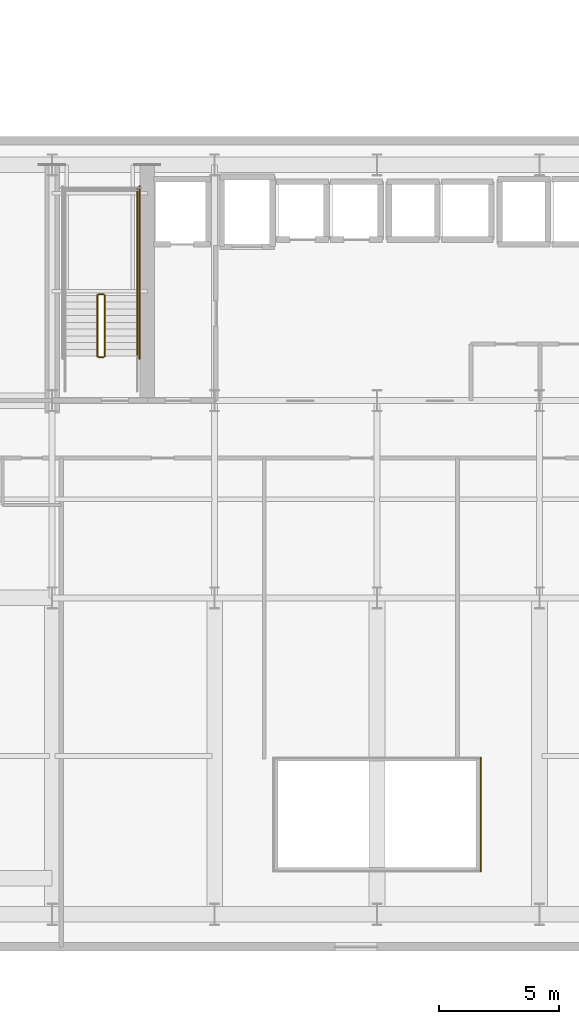
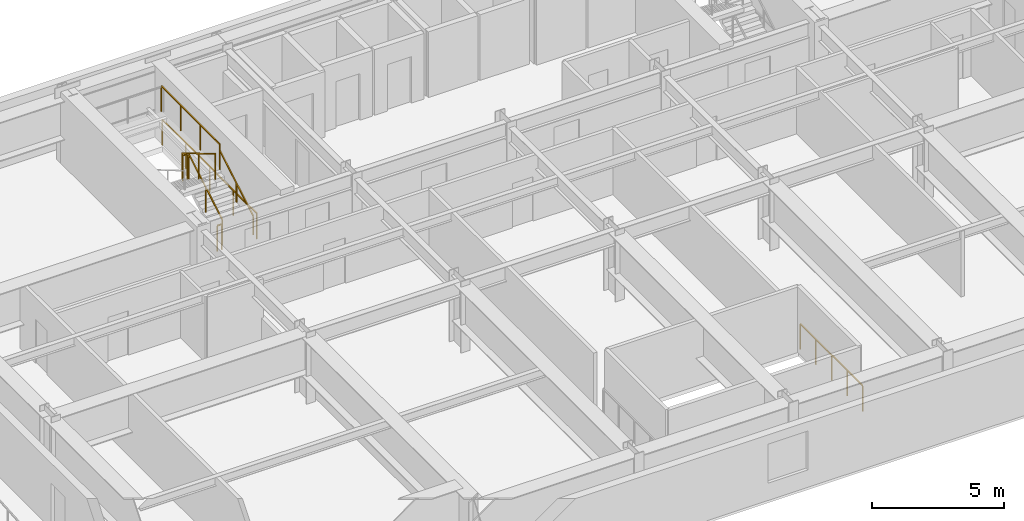
# One storey, part 13 of 18: 8 railings.
"""IFC4 building model written with IfcOpenShell, lengths in metres."""

from ifc_helpers import new_model, si_unit, direction, frame, origin, origin_2d, place, context, subcontext, project, spatial, rectangle, extrude, material, type_object, element, save


model = new_model("IFC4")

# Units and contexts
model_context = context("Model", 3, precision=1e-05, world=origin(), true_north=direction((0.0, 1.0)))
body_context = subcontext(model_context, "Body", "Model", "MODEL_VIEW")
ifc_project = project(units=[si_unit("LENGTHUNIT", "METRE"), si_unit("AREAUNIT", "SQUARE_METRE"), si_unit("VOLUMEUNIT", "CUBIC_METRE"), si_unit("PLANEANGLEUNIT", "RADIAN"), si_unit("MASSUNIT", "GRAM", prefix="KILO")], contexts=[model_context])

# Site, building, storey
site_placement = place(None, origin())
site = spatial("IfcSite", under=ifc_project, at=site_placement, CompositionType="ELEMENT")
building_placement = place(site_placement, origin())
building = spatial("IfcBuilding", under=site, at=building_placement, Name="Haevon Station Towers", CompositionType="ELEMENT")
storey_placement = place(building_placement, frame((0.0, 0.0, 66.89990234375)))
storey = spatial("IfcBuildingStorey", under=building, at=storey_placement, Name="L17", CompositionType="ELEMENT", Elevation=66.89990234375)

# Railings
ifc_material = material(Name="Steel S355", Category="steel")
railing_type_1 = type_object("IfcRailingType", Name="BAL-ATR1200", PredefinedType="BALUSTRADE", material=ifc_material)
railing_1_placement = place(storey_placement, frame((41.80517578125, 18.642333984375, 0.0)))
element("IfcRailing", 1, at=railing_1_placement, inside=storey, type_object=railing_type_1, Name="L17 Atrium Void Balustrade 2", PredefinedType="BALUSTRADE", context=body_context, shape_type="SweptSolid", body=[
    extrude(rectangle(XDim=0.048095703125, YDim=0.048095703125, at=origin_2d()), frame((0.0, 0.0, 1.17578125), z_axis=(0.0, 1.0, 0.0), x_axis=(-1.0, 0.0, 0.0)), (0.0, 0.0, 1.0), 4.71533203125),
    extrude(rectangle(XDim=0.0419921875, YDim=0.0419921875, at=origin_2d()), origin(), (0.0, 0.0, 1.0), 1.15185546875),
    extrude(rectangle(XDim=0.0419921875, YDim=0.0419921875, at=origin_2d()), frame((0.0, 1.1787109375, 0.0)), (0.0, 0.0, 1.0), 1.15185546875),
    extrude(rectangle(XDim=0.0419921875, YDim=0.0419921875, at=origin_2d()), frame((0.0, 2.357666015625, 0.0)), (0.0, 0.0, 1.0), 1.15185546875),
    extrude(rectangle(XDim=0.0419921875, YDim=0.0419921875, at=origin_2d()), frame((0.0, 3.53662109375, 0.0)), (0.0, 0.0, 1.0), 1.15185546875),
    extrude(rectangle(XDim=0.0419921875, YDim=0.0419921875, at=origin_2d()), frame((0.0, 4.71533203125, 0.0)), (0.0, 0.0, 1.0), 1.15185546875),
])
railing_type_2 = type_object("IfcRailingType", Name="GRD-STR1200", PredefinedType="GUARDRAIL", material=ifc_material)
railing_2_placement = place(storey_placement, frame((26.179931640625, 40.050048828125, 0.1650390625)))
element("IfcRailing", 2, at=railing_2_placement, inside=storey, type_object=railing_type_2, Name="L17 ST1 Stair Guard 1", PredefinedType="GUARDRAIL", context=body_context, shape_type="SweptSolid", body=[
    extrude(rectangle(XDim=0.048095703125, YDim=0.048095703125, at=origin_2d()), frame((0.0, 0.0, 1.17578125), z_axis=(0.0, 0.86152411907, 0.507716645641), x_axis=(-1.0, 0.0, 0.0)), (0.0, 0.0, 1.0), 2.925048828125),
    extrude(rectangle(XDim=0.0419921875, YDim=0.0419921875, at=origin_2d()), origin(), (0.0, 0.0, 1.0), 1.15185546875),
    extrude(rectangle(XDim=0.0419921875, YDim=0.0419921875, at=origin_2d()), frame((0.0, 1.260009765625, 0.74267578125)), (0.0, 0.0, 1.0), 1.15185546875),
    extrude(rectangle(XDim=0.0419921875, YDim=0.0419921875, at=origin_2d()), frame((0.0, 2.52001953125, 1.485107421875)), (0.0, 0.0, 1.0), 1.15185546875),
])
railing_3_placement = place(storey_placement, frame((26.1298828125, 42.6201171875, 1.650146484375)))
element("IfcRailing", 3, at=railing_3_placement, inside=storey, type_object=railing_type_2, Name="L17 ST1 Stair Guard 2", PredefinedType="GUARDRAIL", context=body_context, shape_type="SweptSolid", body=[
    extrude(rectangle(XDim=0.048095703125, YDim=0.048095703125, at=origin_2d()), frame((0.0, 0.0, 1.17578125), z_axis=(-1.0, 0.0, 0.0), x_axis=(0.0, -1.0, 0.0)), (0.0, 0.0, 1.0), 0.199951171875),
    extrude(rectangle(XDim=0.0419921875, YDim=0.0419921875, at=origin_2d()), origin(), (0.0, 0.0, 1.0), 1.15185546875),
    extrude(rectangle(XDim=0.0419921875, YDim=0.0419921875, at=origin_2d()), frame((-0.199951171875, 0.0, 0.0)), (0.0, 0.0, 1.0), 1.15185546875),
])
railing_4_placement = place(storey_placement, frame((27.530029296875, 42.570068359375, 1.650146484375)))
element("IfcRailing", 4, at=railing_4_placement, inside=storey, type_object=railing_type_2, Name="L17 ST1 Stair Guard 3", PredefinedType="GUARDRAIL", context=body_context, shape_type="SweptSolid", body=[
    extrude(rectangle(XDim=0.048095703125, YDim=0.048095703125, at=origin_2d()), frame((0.0, 0.0, 1.17578125), z_axis=(0.0, 1.0, 0.0), x_axis=(-1.0, 0.0, 0.0)), (0.0, 0.0, 1.0), 4.429931640625),
    extrude(rectangle(XDim=0.0419921875, YDim=0.0419921875, at=origin_2d()), origin(), (0.0, 0.0, 1.0), 1.15185546875),
    extrude(rectangle(XDim=0.0419921875, YDim=0.0419921875, at=origin_2d()), frame((0.0, 1.4765625, 0.0)), (0.0, 0.0, 1.0), 1.15185546875),
    extrude(rectangle(XDim=0.0419921875, YDim=0.0419921875, at=origin_2d()), frame((0.0, 2.953369140625, 0.0)), (0.0, 0.0, 1.0), 1.15185546875),
    extrude(rectangle(XDim=0.0419921875, YDim=0.0419921875, at=origin_2d()), frame((0.0, 4.429931640625, 0.0)), (0.0, 0.0, 1.0), 1.15185546875),
])
railing_5_placement = place(storey_placement, frame((25.8798828125, 42.570068359375, 1.815185546875)))
element("IfcRailing", 5, at=railing_5_placement, inside=storey, type_object=railing_type_2, Name="L17 ST1 Stair Guard 6", PredefinedType="GUARDRAIL", context=body_context, shape_type="SweptSolid", body=[
    extrude(rectangle(XDim=0.048095703125, YDim=0.048095703125, at=origin_2d()), frame((0.0, 0.0, 1.17578125), z_axis=(0.0, -0.861560626758, 0.507654692109), x_axis=(1.0, 0.0, 0.0)), (0.0, 0.0, 1.0), 2.925048828125),
    extrude(rectangle(XDim=0.0419921875, YDim=0.0419921875, at=origin_2d()), origin(), (0.0, 0.0, 1.0), 1.15185546875),
    extrude(rectangle(XDim=0.0419921875, YDim=0.0419921875, at=origin_2d()), frame((0.0, -1.260009765625, 0.742431640625)), (0.0, 0.0, 1.0), 1.15185546875),
    extrude(rectangle(XDim=0.0419921875, YDim=0.0419921875, at=origin_2d()), frame((0.0, -2.52001953125, 1.48486328125)), (0.0, 0.0, 1.0), 1.15185546875),
])
railing_6_placement = place(storey_placement, frame((26.1298828125, 40.0, 0.0)))
element("IfcRailing", 6, at=railing_6_placement, inside=storey, type_object=railing_type_2, Name="L17 ST1 Stair Guard 7", PredefinedType="GUARDRAIL", context=body_context, shape_type="SweptSolid", body=[
    extrude(rectangle(XDim=0.048095703125, YDim=0.048095703125, at=origin_2d()), frame((0.0, 0.0, 1.17578125), z_axis=(-1.0, 0.0, 0.0), x_axis=(0.0, -1.0, 0.0)), (0.0, 0.0, 1.0), 0.199951171875),
    extrude(rectangle(XDim=0.0419921875, YDim=0.0419921875, at=origin_2d()), origin(), (0.0, 0.0, 1.0), 1.15185546875),
    extrude(rectangle(XDim=0.0419921875, YDim=0.0419921875, at=origin_2d()), frame((-0.199951171875, 0.0, 0.0)), (0.0, 0.0, 1.0), 1.15185546875),
])
railing_7_placement = place(storey_placement, frame((27.6298828125, 39.949951171875, 0.0)))
element("IfcRailing", 7, at=railing_7_placement, inside=storey, type_object=railing_type_2, Name="L17 ST1 Stair Guard 10", PredefinedType="GUARDRAIL", context=body_context, shape_type="SweptSolid", body=[
    extrude(rectangle(XDim=0.048095703125, YDim=0.048095703125, at=origin_2d()), frame((0.0, 0.0, 1.17578125), z_axis=(0.0, 1.0, 0.0), x_axis=(-1.0, 0.0, 0.0)), (0.0, 0.0, 1.0), 7.150146484375),
    extrude(rectangle(XDim=0.0419921875, YDim=0.0419921875, at=origin_2d()), origin(), (0.0, 0.0, 1.0), 1.15185546875),
    extrude(rectangle(XDim=0.0419921875, YDim=0.0419921875, at=origin_2d()), frame((0.0, 1.78759765625, 0.0)), (0.0, 0.0, 1.0), 1.15185546875),
    extrude(rectangle(XDim=0.0419921875, YDim=0.0419921875, at=origin_2d()), frame((0.0, 3.5751953125, 0.0)), (0.0, 0.0, 1.0), 1.15185546875),
    extrude(rectangle(XDim=0.0419921875, YDim=0.0419921875, at=origin_2d()), frame((0.0, 5.362548828125, 0.0)), (0.0, 0.0, 1.0), 1.15185546875),
    extrude(rectangle(XDim=0.0419921875, YDim=0.0419921875, at=origin_2d()), frame((0.0, 7.150146484375, 0.0)), (0.0, 0.0, 1.0), 1.15185546875),
])
railing_type_3 = type_object("IfcRailingType", Name="HND-STR900", PredefinedType="HANDRAIL", material=ifc_material)
railing_8_placement = place(storey_placement, frame((27.530029296875, 40.050048828125, 0.1650390625)))
element("IfcRailing", 8, at=railing_8_placement, inside=storey, type_object=railing_type_3, Name="L17 ST1 Stair Handrail 1", PredefinedType="HANDRAIL", context=body_context, shape_type="SweptSolid", body=[
    extrude(rectangle(XDim=0.048095703125, YDim=0.048095703125, at=origin_2d()), frame((0.0, 0.0, 0.8759765625), z_axis=(0.0, 0.86152411907, 0.507716645641), x_axis=(-1.0, 0.0, 0.0)), (0.0, 0.0, 1.0), 2.925048828125),
    extrude(rectangle(XDim=0.0419921875, YDim=0.0419921875, at=origin_2d()), origin(), (0.0, 0.0, 1.0), 0.851806640625),
    extrude(rectangle(XDim=0.0419921875, YDim=0.0419921875, at=origin_2d()), frame((0.0, 1.260009765625, 0.74267578125)), (0.0, 0.0, 1.0), 0.851806640625),
    extrude(rectangle(XDim=0.0419921875, YDim=0.0419921875, at=origin_2d()), frame((0.0, 2.52001953125, 1.485107421875)), (0.0, 0.0, 1.0), 0.851806640625),
])

save(model, "model.ifc")
